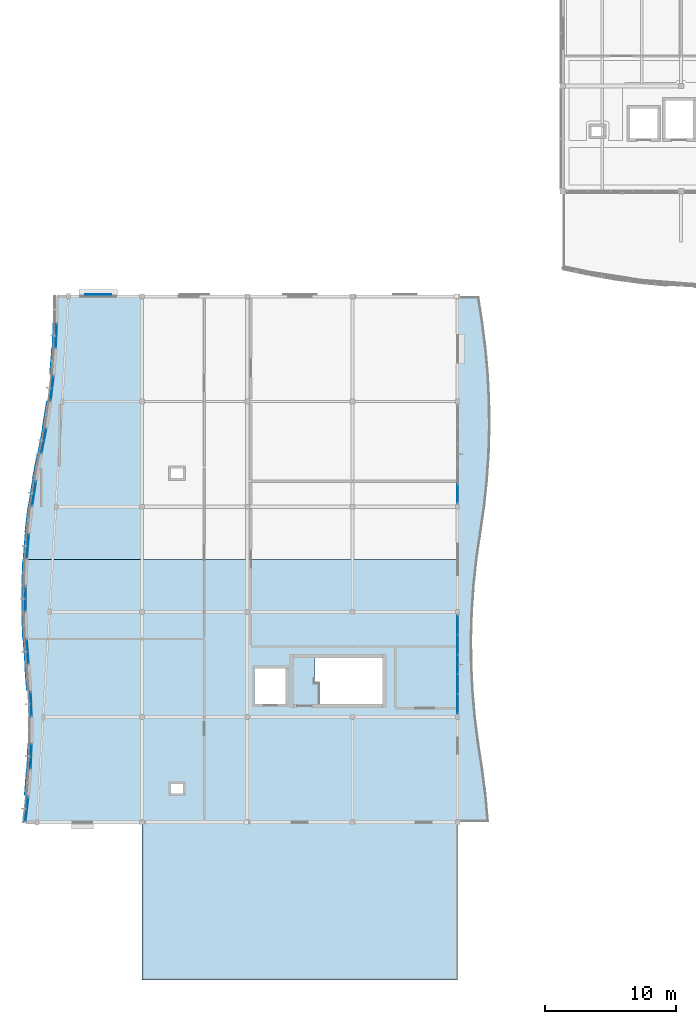
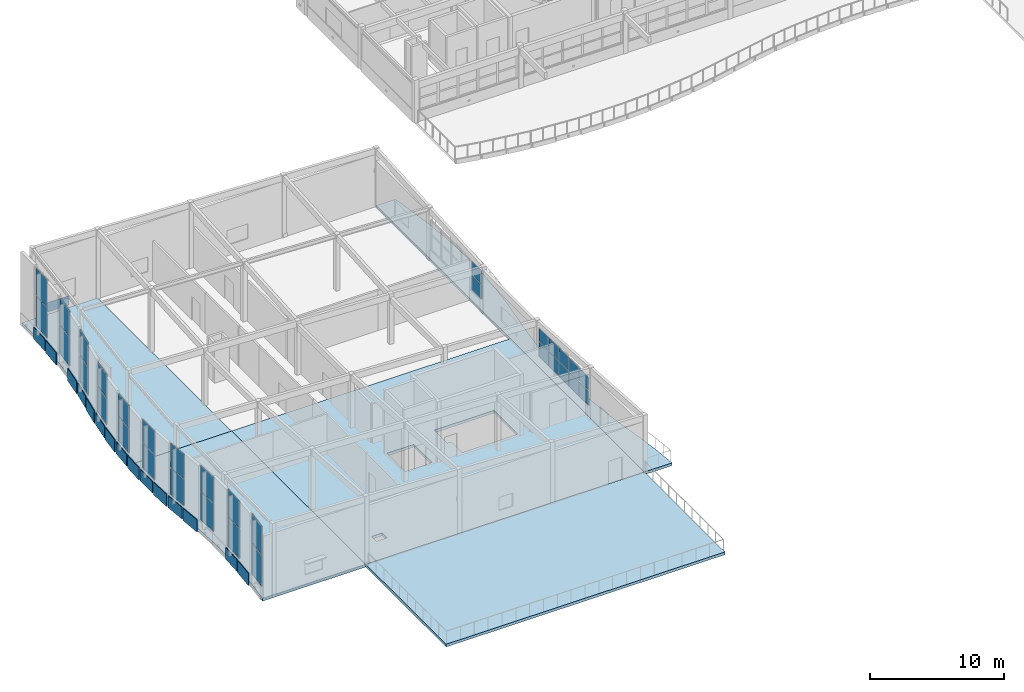
# One storey, part 21 of 52: 48 plates, 5 slabs, 12 elements without a shape of their own.
"""IFC4 building model written with IfcOpenShell, lengths in metres."""

from ifc_helpers import new_model, si_unit, direction, frame, origin, origin_2d, place, context, subcontext, project, spatial, polyline, rectangle, outline, extrude, material, layer, layer_set, type_object, element, aggregate, save


model = new_model("IFC4")

# Units and contexts
model_context = context("Model", 3, precision=1e-05, world=origin(), true_north=direction((0.0, 1.0)))
body_context = subcontext(model_context, "Body", "Model", "MODEL_VIEW")
ifc_project = project(units=[si_unit("LENGTHUNIT", "METRE"), si_unit("AREAUNIT", "SQUARE_METRE"), si_unit("VOLUMEUNIT", "CUBIC_METRE"), si_unit("PLANEANGLEUNIT", "RADIAN"), si_unit("MASSUNIT", "GRAM", prefix="KILO")], contexts=[model_context])

# Site, building, storey
site_placement = place(None, origin())
site = spatial("IfcSite", under=ifc_project, at=site_placement, CompositionType="ELEMENT")
building_placement = place(site_placement, origin())
building = spatial("IfcBuilding", under=site, at=building_placement, Name="Tonlespit Floodbar School", CompositionType="ELEMENT")
storey_placement = place(building_placement, frame((0.0, 0.0, 12.300048828125)))
storey = spatial("IfcBuildingStorey", under=building, at=storey_placement, Name="L03", CompositionType="ELEMENT", Elevation=12.300048828125)

# Curtain wall, plates
ifc_material_1 = material(Name="Anodised Aluminium", Category="aluminium")
ifc_layer_1 = layer(ifc_material_1, 0.159912109375)
ifc_layer_set_1 = layer_set([ifc_layer_1], Name="Anodised Aluminium")
curtain_wall_type_1 = type_object("IfcCurtainWallType", Name="CurtainWall_1900x5050", PredefinedType="NOTDEFINED", material=ifc_layer_set_1)
curtain_wall_1_placement = place(storey_placement, origin())
curtain_wall_1 = element("IfcCurtainWall", 1, at=curtain_wall_1_placement, inside=storey, type_object=curtain_wall_type_1, Name="L03 unitised curtain wall 0301", PredefinedType="NOTDEFINED")
ifc_material_2 = material(Name="Laminated Low-E Glass", Category="glass")
ifc_layer_2 = layer(ifc_material_2, 0.028076171875)
ifc_layer_set_2 = layer_set([ifc_layer_2], Name="Laminated Low-E Glass")
plate_type_1 = type_object("IfcPlateType", Name="CW_Panel_Glaz_28", PredefinedType="CURTAIN_PANEL", material=ifc_layer_set_2)
plate_1_placement = place(storey_placement, frame((3.558349609375, 65.0, 1.014892578125), z_axis=(0.0, 0.0, 1.0), x_axis=(-0.036538085803, 0.999332261205, 0.0)))
plate_1 = element("IfcPlate", 2, at=plate_1_placement, type_object=plate_type_1, Name="CW-40 panel 1.1", PredefinedType="CURTAIN_PANEL", context=body_context, shape_type="SweptSolid", body=[
    extrude(rectangle(XDim=1.791259765625, YDim=0.028076171875, at=origin_2d()), origin(), (0.0, 0.0, 1.0), 2.5380859375),
])
plate_2_placement = place(storey_placement, frame((3.558349609375, 65.0, 3.6181640625), z_axis=(0.0, 0.0, 1.0), x_axis=(-0.036538085803, 0.999332261205, 0.0)))
plate_2 = element("IfcPlate", 3, at=plate_2_placement, type_object=plate_type_1, Name="CW-40 panel 1.2", PredefinedType="CURTAIN_PANEL", context=body_context, shape_type="SweptSolid", body=[
    extrude(rectangle(XDim=1.791259765625, YDim=0.028076171875, at=origin_2d()), origin(), (0.0, 0.0, 1.0), 2.335205078125),
])
aggregate(curtain_wall_1, [plate_1, plate_2])

ifc_layer_3 = layer(ifc_material_1, 0.159912109375)
ifc_layer_set_3 = layer_set([ifc_layer_3], Name="Anodised Aluminium")
curtain_wall_type_2 = type_object("IfcCurtainWallType", Name="CurtainWall_1950x4700", PredefinedType="NOTDEFINED", material=ifc_layer_set_3)
curtain_wall_2_placement = place(storey_placement, origin())
curtain_wall_2 = element("IfcCurtainWall", 4, at=curtain_wall_2_placement, inside=storey, type_object=curtain_wall_type_2, Name="L03 unitised curtain wall 0305", PredefinedType="NOTDEFINED")
plate_3_placement = place(storey_placement, frame((3.781494140625, 81.0, 1.01513671875), z_axis=(0.0, 0.0, 1.0), x_axis=(0.154700059367, 0.987961482869, 0.0)))
plate_3 = element("IfcPlate", 5, at=plate_3_placement, type_object=plate_type_1, Name="CW-44 panel 1.1", PredefinedType="CURTAIN_PANEL", context=body_context, shape_type="SweptSolid", body=[
    extrude(rectangle(XDim=1.814453125, YDim=0.028076171875, at=origin_2d()), origin(), (0.0, 0.0, 1.0), 2.334228515625),
])
plate_4_placement = place(storey_placement, frame((3.781494140625, 81.0, 3.4140625), z_axis=(0.0, 0.0, 1.0), x_axis=(0.154700059367, 0.987961482869, 0.0)))
plate_4 = element("IfcPlate", 6, at=plate_4_placement, type_object=plate_type_1, Name="CW-44 panel 1.2", PredefinedType="CURTAIN_PANEL", context=body_context, shape_type="SweptSolid", body=[
    extrude(rectangle(XDim=1.814453125, YDim=0.028076171875, at=origin_2d()), origin(), (0.0, 0.0, 1.0), 2.147216796875),
])
aggregate(curtain_wall_2, [plate_3, plate_4])

ifc_layer_4 = layer(ifc_material_1, 0.159912109375)
ifc_layer_set_4 = layer_set([ifc_layer_4], Name="Anodised Aluminium")
curtain_wall_type_3 = type_object("IfcCurtainWallType", Name="CurtainWall_7550x2700", PredefinedType="NOTDEFINED", material=ifc_layer_set_4)
curtain_wall_3_placement = place(storey_placement, origin())
curtain_wall_3 = element("IfcCurtainWall", 7, at=curtain_wall_3_placement, inside=storey, type_object=curtain_wall_type_3, Name="L03 unitised curtain wall 0309", PredefinedType="NOTDEFINED")
plate_5_placement = place(storey_placement, frame((36.0, 80.9921875, 1.014892578125), z_axis=(0.0, 0.0, 1.0), x_axis=(0.0, -1.0, 0.0)))
plate_5 = element("IfcPlate", 8, at=plate_5_placement, type_object=plate_type_1, Name="CW-48 panel 5.1", PredefinedType="CURTAIN_PANEL", context=body_context, shape_type="SweptSolid", body=[
    extrude(rectangle(XDim=1.41455078125, YDim=0.028076171875, at=origin_2d()), origin(), (0.0, 0.0, 1.0), 1.31591796875),
])
plate_6_placement = place(storey_placement, frame((36.0, 80.9921875, 2.39599609375), z_axis=(0.0, 0.0, 1.0), x_axis=(0.0, -1.0, 0.0)))
plate_6 = element("IfcPlate", 9, at=plate_6_placement, type_object=plate_type_1, Name="CW-48 panel 5.2", PredefinedType="CURTAIN_PANEL", context=body_context, shape_type="SweptSolid", body=[
    extrude(rectangle(XDim=1.41455078125, YDim=0.028076171875, at=origin_2d()), origin(), (0.0, 0.0, 1.0), 1.207275390625),
])
aggregate(curtain_wall_3, [plate_5, plate_6])

ifc_layer_5 = layer(ifc_material_1, 0.159912109375)
ifc_layer_set_5 = layer_set([ifc_layer_5], Name="Anodised Aluminium")
curtain_wall_type_4 = type_object("IfcCurtainWallType", Name="CurtainWall_1950x4800", PredefinedType="NOTDEFINED", material=ifc_layer_set_5)
curtain_wall_4_placement = place(storey_placement, origin())
curtain_wall_4 = element("IfcCurtainWall", 10, at=curtain_wall_4_placement, inside=storey, type_object=curtain_wall_type_4, Name="L03 unitised curtain wall 0302", PredefinedType="NOTDEFINED")
ifc_layer_6 = layer(ifc_material_2, 0.031982421875)
ifc_layer_set_6 = layer_set([ifc_layer_6], Name="Laminated Low-E Glass")
plate_type_2 = type_object("IfcPlateType", Name="CW_Panel_Glaz_32", PredefinedType="CURTAIN_PANEL", material=ifc_layer_set_6)
plate_7_placement = place(storey_placement, frame((3.294189453125, 69.0, 1.01513671875), z_axis=(0.0, 0.0, 1.0), x_axis=(-0.075711654028, 0.997129753565, 0.0)))
plate_7 = element("IfcPlate", 11, at=plate_7_placement, type_object=plate_type_2, Name="CW-41 panel 1.1", PredefinedType="CURTAIN_PANEL", context=body_context, shape_type="SweptSolid", body=[
    extrude(rectangle(XDim=1.795654296875, YDim=0.031982421875, at=origin_2d()), origin(), (0.0, 0.0, 1.0), 2.406982421875),
])
plate_8_placement = place(storey_placement, frame((3.294189453125, 69.0, 3.487060546875), z_axis=(0.0, 0.0, 1.0), x_axis=(-0.075711654028, 0.997129753565, 0.0)))
plate_8 = element("IfcPlate", 12, at=plate_8_placement, type_object=plate_type_2, Name="CW-41 panel 1.2", PredefinedType="CURTAIN_PANEL", context=body_context, shape_type="SweptSolid", body=[
    extrude(rectangle(XDim=1.795654296875, YDim=0.031982421875, at=origin_2d()), origin(), (0.0, 0.0, 1.0), 2.21435546875),
])
aggregate(curtain_wall_4, [plate_7, plate_8])

ifc_layer_7 = layer(ifc_material_1, 0.159912109375)
ifc_layer_set_7 = layer_set([ifc_layer_7], Name="Anodised Aluminium")
curtain_wall_type_5 = type_object("IfcCurtainWallType", Name="CurtainWall_1950x4900", PredefinedType="NOTDEFINED", material=ifc_layer_set_7)
curtain_wall_5_placement = place(storey_placement, origin())
curtain_wall_5 = element("IfcCurtainWall", 13, at=curtain_wall_5_placement, inside=storey, type_object=curtain_wall_type_5, Name="L03 unitised curtain wall 0306", PredefinedType="NOTDEFINED")
plate_9_placement = place(storey_placement, frame((4.52587890625, 85.0, 1.014892578125), z_axis=(0.0, 0.0, 1.0), x_axis=(0.192244726092, 0.981347015734, 0.0)))
plate_9 = element("IfcPlate", 14, at=plate_9_placement, type_object=plate_type_2, Name="CW-45 panel 1.1", PredefinedType="CURTAIN_PANEL", context=body_context, shape_type="SweptSolid", body=[
    extrude(rectangle(XDim=1.827880859375, YDim=0.031982421875, at=origin_2d()), origin(), (0.0, 0.0, 1.0), 2.46142578125),
])
plate_10_placement = place(storey_placement, frame((4.52587890625, 85.0, 3.541259765625), z_axis=(0.0, 0.0, 1.0), x_axis=(0.192244726092, 0.981347015734, 0.0)))
plate_10 = element("IfcPlate", 15, at=plate_10_placement, type_object=plate_type_2, Name="CW-45 panel 1.2", PredefinedType="CURTAIN_PANEL", context=body_context, shape_type="SweptSolid", body=[
    extrude(rectangle(XDim=1.827880859375, YDim=0.031982421875, at=origin_2d()), origin(), (0.0, 0.0, 1.0), 2.2646484375),
])
aggregate(curtain_wall_5, [plate_9, plate_10])

curtain_wall_6_placement = place(storey_placement, origin())
curtain_wall_6 = element("IfcCurtainWall", 16, at=curtain_wall_6_placement, inside=storey, type_object=curtain_wall_type_3, Name="L03 unitised curtain wall 0310", PredefinedType="NOTDEFINED")
plate_11_placement = place(storey_placement, frame((36.0, 71.0078125, 1.014892578125), z_axis=(0.0, 0.0, 1.0), x_axis=(0.0, -1.0, 0.0)))
plate_11 = element("IfcPlate", 17, at=plate_11_placement, type_object=plate_type_2, Name="CW-48 panel 1.1", PredefinedType="CURTAIN_PANEL", context=body_context, shape_type="SweptSolid", body=[
    extrude(rectangle(XDim=1.41455078125, YDim=0.031982421875, at=origin_2d()), origin(), (0.0, 0.0, 1.0), 1.310546875),
])
plate_12_placement = place(storey_placement, frame((36.0, 71.0078125, 2.390625), z_axis=(0.0, 0.0, 1.0), x_axis=(0.0, -1.0, 0.0)))
plate_12 = element("IfcPlate", 18, at=plate_12_placement, type_object=plate_type_2, Name="CW-48 panel 1.2", PredefinedType="CURTAIN_PANEL", context=body_context, shape_type="SweptSolid", body=[
    extrude(rectangle(XDim=1.41455078125, YDim=0.031982421875, at=origin_2d()), origin(), (0.0, 0.0, 1.0), 1.202392578125),
])
plate_13_placement = place(storey_placement, frame((36.0, 69.511962890625, 1.014892578125), z_axis=(0.0, 0.0, 1.0), x_axis=(0.0, -1.0, 0.0)))
plate_13 = element("IfcPlate", 19, at=plate_13_placement, type_object=plate_type_2, Name="CW-48 panel 2.1", PredefinedType="CURTAIN_PANEL", context=body_context, shape_type="SweptSolid", body=[
    extrude(rectangle(XDim=1.447021484375, YDim=0.031982421875, at=origin_2d()), origin(), (0.0, 0.0, 1.0), 1.310546875),
])
plate_14_placement = place(storey_placement, frame((36.0, 69.511962890625, 2.390625), z_axis=(0.0, 0.0, 1.0), x_axis=(0.0, -1.0, 0.0)))
plate_14 = element("IfcPlate", 20, at=plate_14_placement, type_object=plate_type_2, Name="CW-48 panel 2.2", PredefinedType="CURTAIN_PANEL", context=body_context, shape_type="SweptSolid", body=[
    extrude(rectangle(XDim=1.447021484375, YDim=0.031982421875, at=origin_2d()), origin(), (0.0, 0.0, 1.0), 1.202392578125),
])
plate_15_placement = place(storey_placement, frame((36.0, 68.0, 1.014892578125), z_axis=(0.0, 0.0, 1.0), x_axis=(0.0, -1.0, 0.0)))
plate_15 = element("IfcPlate", 21, at=plate_15_placement, type_object=plate_type_2, Name="CW-48 panel 3.1", PredefinedType="CURTAIN_PANEL", context=body_context, shape_type="SweptSolid", body=[
    extrude(rectangle(XDim=1.447021484375, YDim=0.031982421875, at=origin_2d()), origin(), (0.0, 0.0, 1.0), 1.310546875),
])
plate_16_placement = place(storey_placement, frame((36.0, 68.0, 2.390625), z_axis=(0.0, 0.0, 1.0), x_axis=(0.0, -1.0, 0.0)))
plate_16 = element("IfcPlate", 22, at=plate_16_placement, type_object=plate_type_2, Name="CW-48 panel 3.2", PredefinedType="CURTAIN_PANEL", context=body_context, shape_type="SweptSolid", body=[
    extrude(rectangle(XDim=1.447021484375, YDim=0.031982421875, at=origin_2d()), origin(), (0.0, 0.0, 1.0), 1.202392578125),
])
plate_17_placement = place(storey_placement, frame((36.0, 66.488037109375, 1.014892578125), z_axis=(0.0, 0.0, 1.0), x_axis=(0.0, -1.0, 0.0)))
plate_17 = element("IfcPlate", 23, at=plate_17_placement, type_object=plate_type_2, Name="CW-48 panel 4.1", PredefinedType="CURTAIN_PANEL", context=body_context, shape_type="SweptSolid", body=[
    extrude(rectangle(XDim=1.447021484375, YDim=0.031982421875, at=origin_2d()), origin(), (0.0, 0.0, 1.0), 1.310546875),
])
plate_18_placement = place(storey_placement, frame((36.0, 66.488037109375, 2.390625), z_axis=(0.0, 0.0, 1.0), x_axis=(0.0, -1.0, 0.0)))
plate_18 = element("IfcPlate", 24, at=plate_18_placement, type_object=plate_type_2, Name="CW-48 panel 4.2", PredefinedType="CURTAIN_PANEL", context=body_context, shape_type="SweptSolid", body=[
    extrude(rectangle(XDim=1.447021484375, YDim=0.031982421875, at=origin_2d()), origin(), (0.0, 0.0, 1.0), 1.202392578125),
])
plate_19_placement = place(storey_placement, frame((36.0, 64.9921875, 1.014892578125), z_axis=(0.0, 0.0, 1.0), x_axis=(0.0, -1.0, 0.0)))
plate_19 = element("IfcPlate", 25, at=plate_19_placement, type_object=plate_type_2, Name="CW-48 panel 5.1", PredefinedType="CURTAIN_PANEL", context=body_context, shape_type="SweptSolid", body=[
    extrude(rectangle(XDim=1.41455078125, YDim=0.031982421875, at=origin_2d()), origin(), (0.0, 0.0, 1.0), 1.310546875),
])
plate_20_placement = place(storey_placement, frame((36.0, 64.9921875, 2.390625), z_axis=(0.0, 0.0, 1.0), x_axis=(0.0, -1.0, 0.0)))
plate_20 = element("IfcPlate", 26, at=plate_20_placement, type_object=plate_type_2, Name="CW-48 panel 5.2", PredefinedType="CURTAIN_PANEL", context=body_context, shape_type="SweptSolid", body=[
    extrude(rectangle(XDim=1.41455078125, YDim=0.031982421875, at=origin_2d()), origin(), (0.0, 0.0, 1.0), 1.202392578125),
])
aggregate(curtain_wall_6, [plate_11, plate_12, plate_13, plate_14, plate_15, plate_16, plate_17, plate_18, plate_19, plate_20])

ifc_layer_8 = layer(ifc_material_1, 0.159912109375)
ifc_layer_set_8 = layer_set([ifc_layer_8], Name="Anodised Aluminium")
curtain_wall_type_6 = type_object("IfcCurtainWallType", Name="CurtainWall_1950x5600", PredefinedType="NOTDEFINED", material=ifc_layer_set_8)
curtain_wall_7_placement = place(storey_placement, origin())
curtain_wall_7 = element("IfcCurtainWall", 27, at=curtain_wall_7_placement, inside=storey, type_object=curtain_wall_type_6, Name="L03 unitised curtain wall 0299", PredefinedType="NOTDEFINED")
ifc_layer_9 = layer(ifc_material_2, 0.035888671875)
ifc_layer_set_9 = layer_set([ifc_layer_9], Name="Laminated Low-E Glass")
plate_type_3 = type_object("IfcPlateType", Name="CW_Panel_Glaz_36", PredefinedType="CURTAIN_PANEL", material=ifc_layer_set_9)
plate_21_placement = place(storey_placement, frame((3.23291015625, 57.0, 1.014892578125), z_axis=(0.0, 0.0, 1.0), x_axis=(0.116967255837, 0.993135771716, 0.0)))
plate_21 = element("IfcPlate", 28, at=plate_21_placement, type_object=plate_type_3, Name="CW-38 panel 1.1", PredefinedType="CURTAIN_PANEL", context=body_context, shape_type="SweptSolid", body=[
    extrude(rectangle(XDim=1.803955078125, YDim=0.035888671875, at=origin_2d()), origin(), (0.0, 0.0, 1.0), 2.81689453125),
])
plate_22_placement = place(storey_placement, frame((3.23291015625, 57.0, 3.89697265625), z_axis=(0.0, 0.0, 1.0), x_axis=(0.116967255837, 0.993135771716, 0.0)))
plate_22 = element("IfcPlate", 29, at=plate_22_placement, type_object=plate_type_3, Name="CW-38 panel 1.2", PredefinedType="CURTAIN_PANEL", context=body_context, shape_type="SweptSolid", body=[
    extrude(rectangle(XDim=1.803955078125, YDim=0.035888671875, at=origin_2d()), origin(), (0.0, 0.0, 1.0), 2.593017578125),
])
aggregate(curtain_wall_7, [plate_21, plate_22])

ifc_layer_10 = layer(ifc_material_1, 0.159912109375)
ifc_layer_set_10 = layer_set([ifc_layer_10], Name="Anodised Aluminium")
curtain_wall_type_7 = type_object("IfcCurtainWallType", Name="CurtainWall_1900x4550", PredefinedType="NOTDEFINED", material=ifc_layer_set_10)
curtain_wall_8_placement = place(storey_placement, origin())
curtain_wall_8 = element("IfcCurtainWall", 30, at=curtain_wall_8_placement, inside=storey, type_object=curtain_wall_type_7, Name="L03 unitised curtain wall 0303", PredefinedType="NOTDEFINED")
plate_23_placement = place(storey_placement, frame((3.147216796875, 73.0, 1.014892578125), z_axis=(0.0, 0.0, 1.0), x_axis=(0.00218749477, 0.99999760743, 0.0)))
plate_23 = element("IfcPlate", 31, at=plate_23_placement, type_object=plate_type_3, Name="CW-42 panel 1.1", PredefinedType="CURTAIN_PANEL", context=body_context, shape_type="SweptSolid", body=[
    extrude(rectangle(XDim=1.7900390625, YDim=0.035888671875, at=origin_2d()), origin(), (0.0, 0.0, 1.0), 2.27099609375),
])
plate_24_placement = place(storey_placement, frame((3.147216796875, 73.0, 3.350830078125), z_axis=(0.0, 0.0, 1.0), x_axis=(0.00218749477, 0.99999760743, 0.0)))
plate_24 = element("IfcPlate", 32, at=plate_24_placement, type_object=plate_type_3, Name="CW-42 panel 1.2", PredefinedType="CURTAIN_PANEL", context=body_context, shape_type="SweptSolid", body=[
    extrude(rectangle(XDim=1.7900390625, YDim=0.035888671875, at=origin_2d()), origin(), (0.0, 0.0, 1.0), 2.0888671875),
])
aggregate(curtain_wall_8, [plate_23, plate_24])

ifc_layer_11 = layer(ifc_material_1, 0.159912109375)
ifc_layer_set_11 = layer_set([ifc_layer_11], Name="Anodised Aluminium")
curtain_wall_type_8 = type_object("IfcCurtainWallType", Name="CurtainWall_1950x5150", PredefinedType="NOTDEFINED", material=ifc_layer_set_11)
curtain_wall_9_placement = place(storey_placement, origin())
curtain_wall_9 = element("IfcCurtainWall", 33, at=curtain_wall_9_placement, inside=storey, type_object=curtain_wall_type_8, Name="L03 unitised curtain wall 0307", PredefinedType="NOTDEFINED")
plate_25_placement = place(storey_placement, frame((5.15283203125, 89.0, 1.014892578125), z_axis=(0.0, 0.0, 1.0), x_axis=(0.116967255837, 0.993135771716, 0.0)))
plate_25 = element("IfcPlate", 34, at=plate_25_placement, type_object=plate_type_3, Name="CW-46 panel 1.1", PredefinedType="CURTAIN_PANEL", context=body_context, shape_type="SweptSolid", body=[
    extrude(rectangle(XDim=1.803955078125, YDim=0.035888671875, at=origin_2d()), origin(), (0.0, 0.0, 1.0), 2.58837890625),
])
plate_26_placement = place(storey_placement, frame((5.15283203125, 89.0, 3.66845703125), z_axis=(0.0, 0.0, 1.0), x_axis=(0.116967255837, 0.993135771716, 0.0)))
plate_26 = element("IfcPlate", 35, at=plate_26_placement, type_object=plate_type_3, Name="CW-46 panel 1.2", PredefinedType="CURTAIN_PANEL", context=body_context, shape_type="SweptSolid", body=[
    extrude(rectangle(XDim=1.803955078125, YDim=0.035888671875, at=origin_2d()), origin(), (0.0, 0.0, 1.0), 2.3818359375),
])
aggregate(curtain_wall_9, [plate_25, plate_26])

ifc_layer_12 = layer(ifc_material_1, 0.159912109375)
ifc_layer_set_12 = layer_set([ifc_layer_12], Name="Anodised Aluminium")
curtain_wall_type_9 = type_object("IfcCurtainWallType", Name="CurtainWall_1900x5350", PredefinedType="NOTDEFINED", material=ifc_layer_set_12)
curtain_wall_10_placement = place(storey_placement, origin())
curtain_wall_10 = element("IfcCurtainWall", 36, at=curtain_wall_10_placement, inside=storey, type_object=curtain_wall_type_9, Name="L03 unitised curtain wall 0300", PredefinedType="NOTDEFINED")
ifc_layer_13 = layer(ifc_material_2, 0.0419921875)
ifc_layer_set_13 = layer_set([ifc_layer_13], Name="Laminated Low-E Glass")
plate_type_4 = type_object("IfcPlateType", Name="CW_Panel_Glaz_42", PredefinedType="CURTAIN_PANEL", material=ifc_layer_set_13)
plate_27_placement = place(storey_placement, frame((3.5498046875, 61.0, 1.01513671875), z_axis=(0.0, 0.0, 1.0), x_axis=(0.040747380387, 0.999169480615, 0.0)))
plate_27 = element("IfcPlate", 37, at=plate_27_placement, type_object=plate_type_4, Name="CW-39 panel 1.1", PredefinedType="CURTAIN_PANEL", context=body_context, shape_type="SweptSolid", body=[
    extrude(rectangle(XDim=1.79150390625, YDim=0.0419921875, at=origin_2d()), origin(), (0.0, 0.0, 1.0), 2.674072265625),
])
plate_28_placement = place(storey_placement, frame((3.5498046875, 61.0, 3.754150390625), z_axis=(0.0, 0.0, 1.0), x_axis=(0.040747380387, 0.999169480615, 0.0)))
plate_28 = element("IfcPlate", 38, at=plate_28_placement, type_object=plate_type_4, Name="CW-39 panel 1.2", PredefinedType="CURTAIN_PANEL", context=body_context, shape_type="SweptSolid", body=[
    extrude(rectangle(XDim=1.79150390625, YDim=0.0419921875, at=origin_2d()), origin(), (0.0, 0.0, 1.0), 2.4609375),
])
aggregate(curtain_wall_10, [plate_27, plate_28])

ifc_layer_14 = layer(ifc_material_1, 0.159912109375)
ifc_layer_set_14 = layer_set([ifc_layer_14], Name="Anodised Aluminium")
curtain_wall_type_10 = type_object("IfcCurtainWallType", Name="CurtainWall_1950x4400", PredefinedType="NOTDEFINED", material=ifc_layer_set_14)
curtain_wall_11_placement = place(storey_placement, origin())
curtain_wall_11 = element("IfcCurtainWall", 39, at=curtain_wall_11_placement, inside=storey, type_object=curtain_wall_type_10, Name="L03 unitised curtain wall 0304", PredefinedType="NOTDEFINED")
plate_29_placement = place(storey_placement, frame((3.31005859375, 77.0, 1.014892578125), z_axis=(0.0, 0.0, 1.0), x_axis=(0.078963166836, 0.996877534245, 0.0)))
plate_29 = element("IfcPlate", 40, at=plate_29_placement, type_object=plate_type_4, Name="CW-43 panel 1.1", PredefinedType="CURTAIN_PANEL", context=body_context, shape_type="SweptSolid", body=[
    extrude(rectangle(XDim=1.796142578125, YDim=0.0419921875, at=origin_2d()), origin(), (0.0, 0.0, 1.0), 2.2001953125),
])
plate_30_placement = place(storey_placement, frame((3.31005859375, 77.0, 3.2802734375), z_axis=(0.0, 0.0, 1.0), x_axis=(0.078963166836, 0.996877534245, 0.0)))
plate_30 = element("IfcPlate", 41, at=plate_30_placement, type_object=plate_type_4, Name="CW-43 panel 1.2", PredefinedType="CURTAIN_PANEL", context=body_context, shape_type="SweptSolid", body=[
    extrude(rectangle(XDim=1.796142578125, YDim=0.0419921875, at=origin_2d()), origin(), (0.0, 0.0, 1.0), 2.0234375),
])
aggregate(curtain_wall_11, [plate_29, plate_30])

ifc_layer_15 = layer(ifc_material_1, 0.159912109375)
ifc_layer_set_15 = layer_set([ifc_layer_15], Name="Anodised Aluminium")
curtain_wall_type_11 = type_object("IfcCurtainWallType", Name="CurtainWall_1900x5400", PredefinedType="NOTDEFINED", material=ifc_layer_set_15)
curtain_wall_12_placement = place(storey_placement, origin())
curtain_wall_12 = element("IfcCurtainWall", 42, at=curtain_wall_12_placement, inside=storey, type_object=curtain_wall_type_11, Name="L03 unitised curtain wall 0308", PredefinedType="NOTDEFINED")
plate_31_placement = place(storey_placement, frame((5.469970703125, 93.0, 1.01513671875), z_axis=(0.0, 0.0, 1.0), x_axis=(0.040747380387, 0.999169480615, 0.0)))
plate_31 = element("IfcPlate", 43, at=plate_31_placement, type_object=plate_type_4, Name="CW-47 panel 1.1", PredefinedType="CURTAIN_PANEL", context=body_context, shape_type="SweptSolid", body=[
    extrude(rectangle(XDim=1.79150390625, YDim=0.0419921875, at=origin_2d()), origin(), (0.0, 0.0, 1.0), 2.722412109375),
])
plate_32_placement = place(storey_placement, frame((5.469970703125, 93.0, 3.80224609375), z_axis=(0.0, 0.0, 1.0), x_axis=(0.040747380387, 0.999169480615, 0.0)))
plate_32 = element("IfcPlate", 44, at=plate_32_placement, type_object=plate_type_4, Name="CW-47 panel 1.2", PredefinedType="CURTAIN_PANEL", context=body_context, shape_type="SweptSolid", body=[
    extrude(rectangle(XDim=1.79150390625, YDim=0.0419921875, at=origin_2d()), origin(), (0.0, 0.0, 1.0), 2.505615234375),
])
aggregate(curtain_wall_12, [plate_31, plate_32])

# Plates
ifc_material_3 = material(Name="Terracotta Anodised Aluminium", Category="masonry")
ifc_layer_16 = layer(ifc_material_3, 0.0400390625)
ifc_layer_set_16 = layer_set([ifc_layer_16], Name="Terracotta Anodised Aluminium")
plate_type_5 = type_object("IfcPlateType", Name="FacadeCassette_06", PredefinedType="SHEET", material=ifc_layer_set_16)
plate_33_placement = place(storey_placement, frame((8.66748046875, 96.137939453125, 0.094970703125), z_axis=(0.0, 0.0, 1.0), x_axis=(1.0, 0.0, 0.0)))
element("IfcPlate", 45, at=plate_33_placement, inside=storey, type_object=plate_type_5, Name="L03 folded rainscreen cassette 014", PredefinedType="SHEET", context=body_context, shape_type="SweptSolid", body=[
    extrude(rectangle(XDim=1.949951171875, YDim=0.0400390625, at=origin_2d()), origin(), (0.0, 0.0, 1.0), 0.85009765625),
])
ifc_material_4 = material(Name="White Architectural Aluminium", Category="aluminium")
ifc_layer_17 = layer(ifc_material_4, 0.06494140625)
ifc_layer_set_17 = layer_set([ifc_layer_17], Name="White Architectural Aluminium")
plate_type_6 = type_object("IfcPlateType", Name="FacadeRibbon_White_65", PredefinedType="SHEET", material=ifc_layer_set_17)
plate_34_placement = place(storey_placement, frame((3.218505859375, 59.0166015625, -0.1201171875), z_axis=(0.0, 0.0, 1.0), x_axis=(0.079001948152, 0.996874461599, 0.0)))
element("IfcPlate", 46, at=plate_34_placement, inside=storey, type_object=plate_type_6, Name="L03 flowing white street spandrel ribbon 0570", PredefinedType="SHEET", context=body_context, shape_type="SweptSolid", body=[
    extrude(rectangle(XDim=1.84619140625, YDim=0.06494140625, at=origin_2d()), origin(), (0.0, 0.0, 1.0), 1.1201171875),
])
plate_35_placement = place(storey_placement, frame((3.367919921875, 61.00732421875, -0.1201171875), z_axis=(0.0, 0.0, 1.0), x_axis=(0.040715999914, 0.999170759856, 0.0)))
element("IfcPlate", 47, at=plate_35_placement, inside=storey, type_object=plate_type_6, Name="L03 flowing white street spandrel ribbon 0571", PredefinedType="SHEET", context=body_context, shape_type="SweptSolid", body=[
    extrude(rectangle(XDim=1.841796875, YDim=0.06494140625, at=origin_2d()), origin(), (0.0, 0.0, 1.0), 1.070068359375),
])
plate_36_placement = place(storey_placement, frame((3.234619140625, 66.98388671875, -0.1201171875), z_axis=(0.0, 0.0, 1.0), x_axis=(-0.075681836348, 0.997132017161, 0.0)))
element("IfcPlate", 48, at=plate_36_placement, inside=storey, type_object=plate_type_6, Name="L03 flowing white street spandrel ribbon 0574", PredefinedType="SHEET", context=body_context, shape_type="SweptSolid", body=[
    extrude(rectangle(XDim=1.845703125, YDim=0.06494140625, at=origin_2d()), origin(), (0.0, 0.0, 1.0), 1.1201171875),
])
plate_37_placement = place(storey_placement, frame((3.112548828125, 68.986083984375, -0.1201171875), z_axis=(0.0, 0.0, 1.0), x_axis=(-0.075681836348, 0.997132017161, 0.0)))
element("IfcPlate", 49, at=plate_37_placement, inside=storey, type_object=plate_type_6, Name="L03 flowing white street spandrel ribbon 0575", PredefinedType="SHEET", context=body_context, shape_type="SweptSolid", body=[
    extrude(rectangle(XDim=1.845703125, YDim=0.06494140625, at=origin_2d()), origin(), (0.0, 0.0, 1.0), 1.070068359375),
])
plate_38_placement = place(storey_placement, frame((2.9697265625, 70.9921875, -0.1201171875), z_axis=(0.0, 0.0, 1.0), x_axis=(-0.036575686496, 0.999330885722, 0.0)))
element("IfcPlate", 50, at=plate_38_placement, inside=storey, type_object=plate_type_6, Name="L03 flowing white street spandrel ribbon 0576", PredefinedType="SHEET", context=body_context, shape_type="SweptSolid", body=[
    extrude(rectangle(XDim=1.84130859375, YDim=0.06494140625, at=origin_2d()), origin(), (0.0, 0.0, 1.0), 1.1201171875),
])
plate_39_placement = place(storey_placement, frame((2.965087890625, 73.00048828125, -0.1201171875), z_axis=(0.0, 0.0, 1.0), x_axis=(0.00220085841, 0.999997578108, 0.0)))
element("IfcPlate", 51, at=plate_39_placement, inside=storey, type_object=plate_type_6, Name="L03 flowing white street spandrel ribbon 0577", PredefinedType="SHEET", context=body_context, shape_type="SweptSolid", body=[
    extrude(rectangle(XDim=1.840087890625, YDim=0.06494140625, at=origin_2d()), origin(), (0.0, 0.0, 1.0), 1.070068359375),
])
plate_40_placement = place(storey_placement, frame((2.978271484375, 75.008544921875, -0.1201171875), z_axis=(0.0, 0.0, 1.0), x_axis=(0.040715999914, 0.999170759856, 0.0)))
element("IfcPlate", 52, at=plate_40_placement, inside=storey, type_object=plate_type_6, Name="L03 flowing white street spandrel ribbon 0578", PredefinedType="SHEET", context=body_context, shape_type="SweptSolid", body=[
    extrude(rectangle(XDim=1.841796875, YDim=0.06494140625, at=origin_2d()), origin(), (0.0, 0.0, 1.0), 1.1201171875),
])
plate_41_placement = place(storey_placement, frame((3.128662109375, 77.014404296875, -0.1201171875), z_axis=(0.0, 0.0, 1.0), x_axis=(0.079001948152, 0.996874461599, 0.0)))
element("IfcPlate", 53, at=plate_41_placement, inside=storey, type_object=plate_type_6, Name="L03 flowing white street spandrel ribbon 0579", PredefinedType="SHEET", context=body_context, shape_type="SweptSolid", body=[
    extrude(rectangle(XDim=1.84619140625, YDim=0.06494140625, at=origin_2d()), origin(), (0.0, 0.0, 1.0), 1.070068359375),
])
plate_42_placement = place(storey_placement, frame((3.296630859375, 79.02490234375, -0.1201171875), z_axis=(0.0, 0.0, 1.0), x_axis=(0.116991411823, 0.99313292643, 0.0)))
element("IfcPlate", 54, at=plate_42_placement, inside=storey, type_object=plate_type_6, Name="L03 flowing white street spandrel ribbon 0580", PredefinedType="SHEET", context=body_context, shape_type="SweptSolid", body=[
    extrude(rectangle(XDim=1.853759765625, YDim=0.06494140625, at=origin_2d()), origin(), (0.0, 0.0, 1.0), 1.1201171875),
])
plate_43_placement = place(storey_placement, frame((3.601806640625, 81.0283203125, -0.1201171875), z_axis=(0.0, 0.0, 1.0), x_axis=(0.154713834929, 0.987959325722, 0.0)))
element("IfcPlate", 55, at=plate_43_placement, inside=storey, type_object=plate_type_6, Name="L03 flowing white street spandrel ribbon 0581", PredefinedType="SHEET", context=body_context, shape_type="SweptSolid", body=[
    extrude(rectangle(XDim=1.864501953125, YDim=0.06494140625, at=origin_2d()), origin(), (0.0, 0.0, 1.0), 1.070068359375),
])
plate_44_placement = place(storey_placement, frame((3.926025390625, 83.040771484375, -0.1201171875), z_axis=(0.0, 0.0, 1.0), x_axis=(0.192246217643, 0.98134672354, 0.0)))
element("IfcPlate", 56, at=plate_44_placement, inside=storey, type_object=plate_type_6, Name="L03 flowing white street spandrel ribbon 0582", PredefinedType="SHEET", context=body_context, shape_type="SweptSolid", body=[
    extrude(rectangle(XDim=1.8779296875, YDim=0.06494140625, at=origin_2d()), origin(), (0.0, 0.0, 1.0), 1.1201171875),
])
plate_45_placement = place(storey_placement, frame((4.347412109375, 85.034912109375, -0.1201171875), z_axis=(0.0, 0.0, 1.0), x_axis=(0.192246217643, 0.98134672354, 0.0)))
element("IfcPlate", 57, at=plate_45_placement, inside=storey, type_object=plate_type_6, Name="L03 flowing white street spandrel ribbon 0583", PredefinedType="SHEET", context=body_context, shape_type="SweptSolid", body=[
    extrude(rectangle(XDim=1.8779296875, YDim=0.06494140625, at=origin_2d()), origin(), (0.0, 0.0, 1.0), 1.070068359375),
])
plate_46_placement = place(storey_placement, frame((4.6689453125, 87.03271484375, -0.1201171875), z_axis=(0.0, 0.0, 1.0), x_axis=(0.154713834929, 0.987959325722, 0.0)))
element("IfcPlate", 58, at=plate_46_placement, inside=storey, type_object=plate_type_6, Name="L03 flowing white street spandrel ribbon 0584", PredefinedType="SHEET", context=body_context, shape_type="SweptSolid", body=[
    extrude(rectangle(XDim=1.864501953125, YDim=0.06494140625, at=origin_2d()), origin(), (0.0, 0.0, 1.0), 1.1201171875),
])
plate_47_placement = place(storey_placement, frame((5.138427734375, 91.0166015625, -0.1201171875), z_axis=(0.0, 0.0, 1.0), x_axis=(0.079001948152, 0.996874461599, 0.0)))
element("IfcPlate", 59, at=plate_47_placement, inside=storey, type_object=plate_type_6, Name="L03 flowing white street spandrel ribbon 0586", PredefinedType="SHEET", context=body_context, shape_type="SweptSolid", body=[
    extrude(rectangle(XDim=1.84619140625, YDim=0.06494140625, at=origin_2d()), origin(), (0.0, 0.0, 1.0), 1.1201171875),
])
plate_48_placement = place(storey_placement, frame((5.2880859375, 93.00732421875, -0.1201171875), z_axis=(0.0, 0.0, 1.0), x_axis=(0.040715999914, 0.999170759856, 0.0)))
element("IfcPlate", 60, at=plate_48_placement, inside=storey, type_object=plate_type_6, Name="L03 flowing white street spandrel ribbon 0587", PredefinedType="SHEET", context=body_context, shape_type="SweptSolid", body=[
    extrude(rectangle(XDim=1.841796875, YDim=0.06494140625, at=origin_2d()), origin(), (0.0, 0.0, 1.0), 1.070068359375),
])

# Slabs
ifc_material_5 = material(Name="CLT C24", Category="wood")
ifc_layer_18 = layer(ifc_material_5, 0.248046875)
ifc_layer_set_18 = layer_set([ifc_layer_18], Name="CLT C24")
slab_type_1 = type_object("IfcSlabType", Name="Slab_Floor_CLT_200", PredefinedType="FLOOR", material=ifc_layer_set_18)
slab_1_placement = place(storey_placement, frame((0.0, 0.0, -0.248046875)))
element("IfcSlab", 61, at=slab_1_placement, inside=storey, type_object=slab_type_1, Name="L03 V2 L03 mid STEAM lab slab", PredefinedType="FLOOR", context=body_context, shape_type="SweptSolid", body=[
    extrude(outline(polyline([(12.0, 56.0), (36.0, 56.0), (36.0, 76.0), (12.0, 76.0), (12.0, 56.0)]), holes=[polyline([(25.5, 65.0), (30.300048828125, 65.0), (30.300048828125, 68.5400390625), (25.14501953125, 68.5400390625), (25.14501953125, 66.6201171875), (25.5, 66.6201171875), (25.5, 65.0)]), polyline([(20.60009765625, 65.0), (22.89990234375, 65.0), (22.89990234375, 67.699951171875), (20.60009765625, 67.699951171875), (20.60009765625, 65.0)]), polyline([(14.199951171875, 58.199951171875), (15.10009765625, 58.199951171875), (15.10009765625, 58.89990234375), (14.199951171875, 58.89990234375), (14.199951171875, 58.199951171875)])]), origin(), (0.0, 0.0, 1.0), 0.248046875),
])
slab_2_placement = place(storey_placement, frame((0.0, 0.0, -0.248046875)))
element("IfcSlab", 62, at=slab_2_placement, inside=storey, type_object=slab_type_1, Name="L03 V2 L03 splayed studio slab 56", PredefinedType="FLOOR", context=body_context, shape_type="SweptSolid", body=[
    extrude(outline(polyline([(12.0, 56.0), (12.0, 76.0), (3.23095703125, 76.0), (3.1494140625, 74.0), (3.14501953125, 72.0), (3.21826171875, 70.0), (3.3701171875, 68.0), (3.521728515625, 66.0), (3.594970703125, 64.0), (3.590576171875, 62.0), (3.509033203125, 60.0), (3.3505859375, 58.0), (3.114990234375, 56.0), (12.0, 56.0)])), origin(), (0.0, 0.0, 1.0), 0.248046875),
])
slab_3_placement = place(storey_placement, frame((0.0, 0.0, -0.248046875)))
element("IfcSlab", 63, at=slab_3_placement, inside=storey, type_object=slab_type_1, Name="L03 V2 L03 splayed studio slab 76", PredefinedType="FLOOR", context=body_context, shape_type="SweptSolid", body=[
    extrude(outline(polyline([(12.0, 76.0), (12.0, 96.0), (5.514892578125, 96.0), (5.510498046875, 94.0), (5.42919921875, 92.0), (5.2705078125, 90.0), (5.034912109375, 88.0), (4.7216796875, 86.0), (4.330078125, 84.0), (3.938232421875, 82.0), (3.625, 80.0), (3.389404296875, 78.0), (3.23095703125, 76.0), (12.0, 76.0)])), origin(), (0.0, 0.0, 1.0), 0.248046875),
])
ifc_layer_19 = layer(ifc_material_5, 0.251953125)
ifc_layer_set_19 = layer_set([ifc_layer_19], Name="CLT C24")
slab_type_2 = type_object("IfcSlabType", Name="Slab_Terrace_CLT_210", PredefinedType="FLOOR", material=ifc_layer_set_19)
slab_4_placement = place(storey_placement, frame((0.0, 0.0, -0.251953125)))
element("IfcSlab", 64, at=slab_4_placement, inside=storey, type_object=slab_type_2, Name="L03 V2 L03 south terrace", PredefinedType="FLOOR", context=body_context, shape_type="SweptSolid", body=[
    extrude(outline(polyline([(12.0, 44.0), (36.0, 44.0), (36.0, 56.0), (12.0, 56.0), (12.0, 44.0)])), origin(), (0.0, 0.0, 1.0), 0.251953125),
])
ifc_layer_20 = layer(ifc_material_5, 0.243896484375)
ifc_layer_set_20 = layer_set([ifc_layer_20], Name="CLT C24")
slab_type_3 = type_object("IfcSlabType", Name="Slab_Terrace_CLT_244", PredefinedType="FLOOR", material=ifc_layer_set_20)
slab_5_placement = place(storey_placement, frame((0.0, 0.0, -0.244140625)))
element("IfcSlab", 65, at=slab_5_placement, inside=storey, type_object=slab_type_3, Name="L03 V2 L03 curved courtyard gallery", PredefinedType="FLOOR", context=body_context, shape_type="SweptSolid", body=[
    extrude(outline(polyline([(36.0, 56.0), (38.381591796875, 56.0), (38.207763671875, 58.0), (37.955810546875, 60.0), (37.644287109375, 62.0), (37.392333984375, 64.0), (37.218505859375, 66.0), (37.122314453125, 68.0), (37.10302734375, 70.0), (37.16064453125, 72.0), (37.295654296875, 74.0), (37.50830078125, 76.0), (37.800048828125, 78.0), (38.091552734375, 80.0), (38.30419921875, 82.0), (38.439208984375, 84.0), (38.4970703125, 86.0), (38.477783203125, 88.0), (38.381591796875, 90.0), (38.207763671875, 92.0), (37.955810546875, 94.0), (37.644287109375, 96.0), (36.0, 96.0), (36.0, 56.0)])), origin(), (0.0, 0.0, 1.0), 0.244140625),
])

save(model, "model.ifc")
